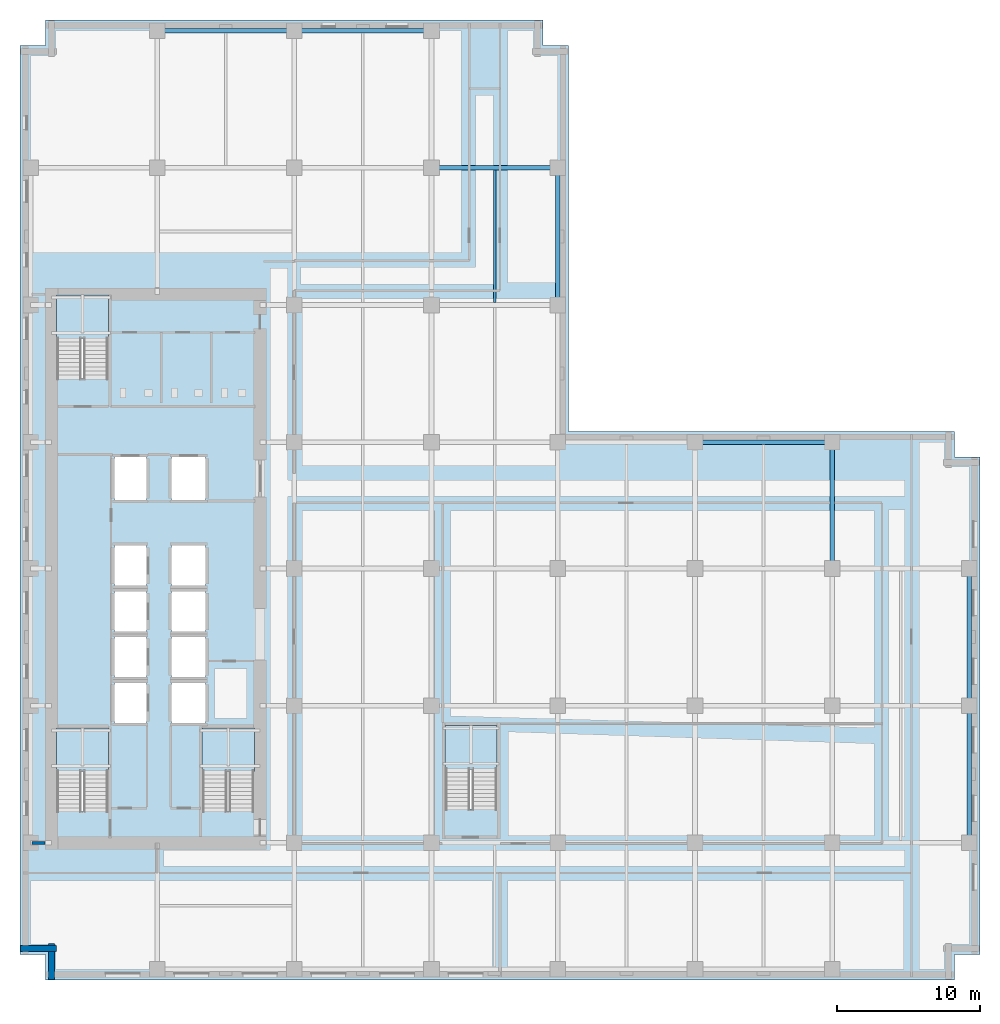
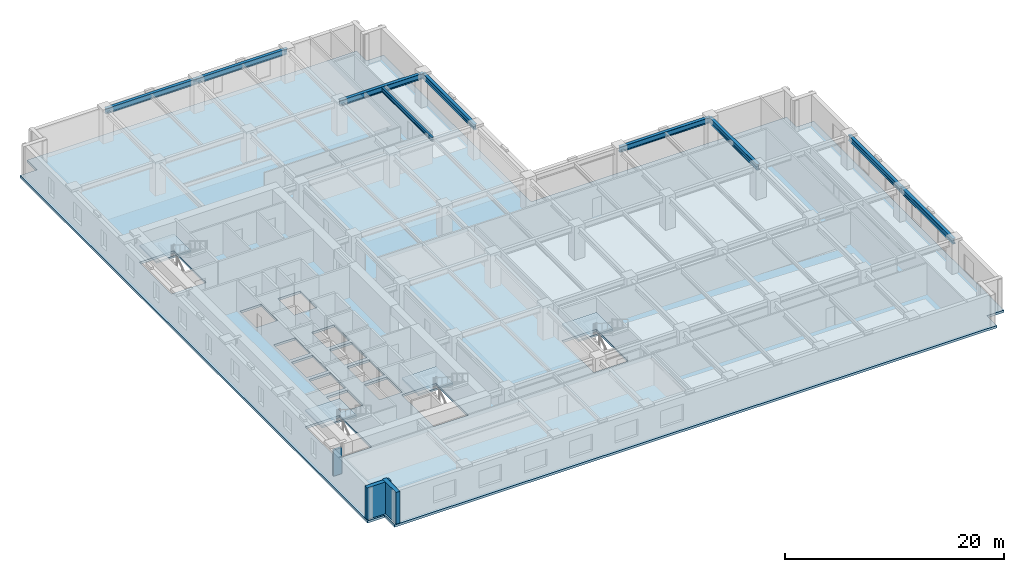
# One storey, part 3 of 15: 9 beams, 5 slabs, 3 walls, 4 elements without a shape of their own.
"""IFC4 building model written with IfcOpenShell, lengths in metres."""

from ifc_helpers import new_model, si_unit, direction, frame, frame_2d, origin, origin_2d, place, context, subcontext, project, spatial, polyline, rectangle, i_section, outline, extrude, material, layer, layer_set, material_profile, profile_set, type_object, element, aggregate, save


model = new_model("IFC4")

# Units and contexts
model_context = context("Model", 3, precision=1e-05, world=origin(), true_north=direction((0.0, 1.0)))
body_context = subcontext(model_context, "Body", "Model", "MODEL_VIEW")
ifc_project = project(units=[si_unit("LENGTHUNIT", "METRE"), si_unit("AREAUNIT", "SQUARE_METRE"), si_unit("VOLUMEUNIT", "CUBIC_METRE"), si_unit("PLANEANGLEUNIT", "RADIAN"), si_unit("MASSUNIT", "GRAM", prefix="KILO")], contexts=[model_context])

# Site, building, storey
site_placement = place(None, origin())
site = spatial("IfcSite", under=ifc_project, at=site_placement, CompositionType="ELEMENT")
building_placement = place(site_placement, origin())
building = spatial("IfcBuilding", under=site, at=building_placement, Name="Norrvale University Quadrangle", CompositionType="ELEMENT")
storey_placement = place(building_placement, frame((0.0, 0.0, 88.800048828125)))
storey = spatial("IfcBuildingStorey", under=building, at=storey_placement, Name="L22", CompositionType="ELEMENT", Elevation=88.800048828125)

# Beams
ifc_material_1 = material(Name="Steel 350W", Category="steel")
ifc_material_profile_1 = material_profile(ifc_material_1, i_section(OverallWidth=0.324951171875, OverallDepth=0.615966796875, WebThickness=0.013916015625, FlangeThickness=0.021484375, FilletRadius=0.01611328125, at=origin_2d()), Name="Steel 350W")
ifc_profile_set_1 = profile_set([ifc_material_profile_1], Name="Steel 350W")
beam_type_1 = type_object("IfcBeamType", Name="Beam Belt W610x174", PredefinedType="BEAM", material=ifc_profile_set_1)
beam_1_placement = place(storey_placement, frame((47.25, 37.64990234375, 3.23193359375), z_axis=(1.0, 0.0, 0.0), x_axis=(0.0, 1.0, 0.0)))
element("IfcBeam", 1, at=beam_1_placement, inside=storey, type_object=beam_type_1, Name="Beam Belt W610x174 BM-L22-GX024", PredefinedType="BEAM", context=body_context, shape_type="SweptSolid", body=[
    extrude(i_section(OverallWidth=0.324951171875, OverallDepth=0.615966796875, WebThickness=0.013916015625, FlangeThickness=0.021484375, FilletRadius=0.01611328125, at=origin_2d()), origin(), (0.0, 0.0, 1.0), 9.60009765625),
])
beam_2_placement = place(storey_placement, frame((28.800048828125, 56.85009765625, 3.23193359375), z_axis=(1.0, 0.0, 0.0), x_axis=(0.0, 1.0, 0.0)))
element("IfcBeam", 2, at=beam_2_placement, inside=storey, type_object=beam_type_1, Name="Beam Belt W610x174 BM-L22-GX030", PredefinedType="BEAM", context=body_context, shape_type="SweptSolid", body=[
    extrude(i_section(OverallWidth=0.324951171875, OverallDepth=0.615966796875, WebThickness=0.013916015625, FlangeThickness=0.021484375, FilletRadius=0.01611328125, at=origin_2d()), origin(), (0.0, 0.0, 1.0), 8.849853515625),
])
beam_3_placement = place(storey_placement, frame((9.60009765625, 66.449951171875, 3.23193359375), z_axis=(1.0, 0.0, 0.0), x_axis=(0.0, 1.0, 0.0)))
element("IfcBeam", 3, at=beam_3_placement, inside=storey, type_object=beam_type_1, Name="Beam Belt W610x174 BM-L22-GX031", PredefinedType="BEAM", context=body_context, shape_type="SweptSolid", body=[
    extrude(i_section(OverallWidth=0.324951171875, OverallDepth=0.615966796875, WebThickness=0.013916015625, FlangeThickness=0.021484375, FilletRadius=0.01611328125, at=origin_2d()), origin(), (0.0, 0.0, 1.0), 9.599853515625),
])
for number, where, z_axis, x_axis, name in (
    (4, (19.199951171875, 66.449951171875, 3.23193359375), (1.0, 0.0, 0.0), (0.0, 1.0, 0.0), "Beam Belt W610x174 BM-L22-GX032"),
    (5, (37.64990234375, 47.25, 3.23193359375), (0.0, 1.0, 0.0), (-1.0, 0.0, 0.0), "Beam Belt W610x174 BM-L22-GY058"),
):
    element("IfcBeam", number, at=place(storey_placement, frame(where, z_axis=z_axis, x_axis=x_axis)), inside=storey, type_object=beam_type_1, Name=name, PredefinedType="BEAM", context=body_context, shape_type="SweptSolid", body=[
        extrude(i_section(OverallWidth=0.324951171875, OverallDepth=0.615966796875, WebThickness=0.013916015625, FlangeThickness=0.021484375, FilletRadius=0.01611328125, at=origin_2d()), origin(), (0.0, 0.0, 1.0), 9.60009765625),
    ])
beam_4_placement = place(storey_placement, frame((56.85009765625, 28.800048828125, 3.23193359375), z_axis=(0.0, 1.0, 0.0), x_axis=(-1.0, 0.0, 0.0)))
element("IfcBeam", 6, at=beam_4_placement, inside=storey, type_object=beam_type_1, Name="Beam Belt W610x174 BM-L22-GY066", PredefinedType="BEAM", context=body_context, shape_type="SweptSolid", body=[
    extrude(i_section(OverallWidth=0.324951171875, OverallDepth=0.615966796875, WebThickness=0.013916015625, FlangeThickness=0.021484375, FilletRadius=0.01611328125, at=origin_2d()), origin(), (0.0, 0.0, 1.0), 8.849853515625),
])
beam_5_placement = place(storey_placement, frame((66.449951171875, 9.60009765625, 3.23193359375), z_axis=(0.0, 1.0, 0.0), x_axis=(-1.0, 0.0, 0.0)))
element("IfcBeam", 7, at=beam_5_placement, inside=storey, type_object=beam_type_1, Name="Beam Belt W610x174 BM-L22-GY067", PredefinedType="BEAM", context=body_context, shape_type="SweptSolid", body=[
    extrude(i_section(OverallWidth=0.324951171875, OverallDepth=0.615966796875, WebThickness=0.013916015625, FlangeThickness=0.021484375, FilletRadius=0.01611328125, at=origin_2d()), origin(), (0.0, 0.0, 1.0), 9.599853515625),
])
beam_6_placement = place(storey_placement, frame((66.449951171875, 19.199951171875, 3.23193359375), z_axis=(0.0, 1.0, 0.0), x_axis=(-1.0, 0.0, 0.0)))
element("IfcBeam", 8, at=beam_6_placement, inside=storey, type_object=beam_type_1, Name="Beam Belt W610x174 BM-L22-GY068", PredefinedType="BEAM", context=body_context, shape_type="SweptSolid", body=[
    extrude(i_section(OverallWidth=0.324951171875, OverallDepth=0.615966796875, WebThickness=0.013916015625, FlangeThickness=0.021484375, FilletRadius=0.01611328125, at=origin_2d()), origin(), (0.0, 0.0, 1.0), 9.60009765625),
])
ifc_material_profile_2 = material_profile(ifc_material_1, i_section(OverallWidth=0.194091796875, OverallDepth=0.468994140625, WebThickness=0.0126953125, FlangeThickness=0.0205078125, FilletRadius=0.012939453125, at=origin_2d()), Name="Steel 350W")
ifc_profile_set_2 = profile_set([ifc_material_profile_2], Name="Steel 350W")
beam_type_2 = type_object("IfcBeamType", Name="Beam Floor W460x106", PredefinedType="BEAM", material=ifc_profile_set_2)
beam_7_placement = place(storey_placement, frame((33.22509765625, 47.41259765625, 3.305419921875), z_axis=(0.0, 1.0, 0.0), x_axis=(-1.0, 0.0, 0.0)))
element("IfcBeam", 9, at=beam_7_placement, inside=storey, type_object=beam_type_2, Name="Beam Floor W460x106 BM-L22-J091", PredefinedType="BEAM", context=body_context, shape_type="SweptSolid", body=[
    extrude(i_section(OverallWidth=0.194091796875, OverallDepth=0.468994140625, WebThickness=0.0126953125, FlangeThickness=0.0205078125, FilletRadius=0.012939453125, at=origin_2d()), origin(), (0.0, 0.0, 1.0), 9.27490234375),
])

# Stair, slab
ifc_material_2 = material(Name="Concrete C40/50", Category="concrete")
stair_type = type_object("IfcStairType", Name="Stair Tower Typ 3800", PredefinedType="TWO_STRAIGHT_RUN_STAIR", material=ifc_material_2)
stair_1_placement = place(storey_placement, origin())
stair_1 = element("IfcStair", 10, at=stair_1_placement, inside=storey, type_object=stair_type, Name="Exit Stair ST-01 L22", PredefinedType="TWO_STRAIGHT_RUN_STAIR")
ifc_layer_1 = layer(ifc_material_2, 0.199951171875, Name="Concrete C40/50")
ifc_layer_set_1 = layer_set([ifc_layer_1], Name="Concrete C40/50")
slab_type_1 = type_object("IfcSlabType", Name="Slab Landing 200", PredefinedType="LANDING", material=ifc_layer_set_1)
slab_1_placement = place(storey_placement, frame((0.0, 0.0, 1.699951171875)))
slab_1 = element("IfcSlab", 11, at=slab_1_placement, type_object=slab_type_1, Name="Exit Stair ST-01 L22 Mid Landing", PredefinedType="LANDING", context=body_context, shape_type="SweptSolid", body=[
    extrude(outline(polyline([(2.550048828125, 14.590087890625), (6.199951171875, 14.590087890625), (6.199951171875, 17.64990234375), (2.550048828125, 17.64990234375), (2.550048828125, 14.590087890625)])), origin(), (0.0, 0.0, 1.0), 0.199951171875),
])
aggregate(stair_1, [slab_1])

stair_2_placement = place(storey_placement, origin())
stair_2 = element("IfcStair", 12, at=stair_2_placement, inside=storey, type_object=stair_type, Name="Exit Stair ST-02 L22", PredefinedType="TWO_STRAIGHT_RUN_STAIR")
slab_2_placement = place(storey_placement, frame((0.0, 0.0, 1.699951171875)))
slab_2 = element("IfcSlab", 13, at=slab_2_placement, type_object=slab_type_1, Name="Exit Stair ST-02 L22 Mid Landing", PredefinedType="LANDING", context=body_context, shape_type="SweptSolid", body=[
    extrude(outline(polyline([(2.550048828125, 44.889892578125), (6.199951171875, 44.889892578125), (6.199951171875, 47.949951171875), (2.550048828125, 47.949951171875), (2.550048828125, 44.889892578125)])), origin(), (0.0, 0.0, 1.0), 0.199951171875),
])
aggregate(stair_2, [slab_2])

stair_3_placement = place(storey_placement, origin())
stair_3 = element("IfcStair", 14, at=stair_3_placement, inside=storey, type_object=stair_type, Name="Exit Stair ST-03 L22", PredefinedType="TWO_STRAIGHT_RUN_STAIR")
slab_3_placement = place(storey_placement, frame((0.0, 0.0, 1.699951171875)))
slab_3 = element("IfcSlab", 15, at=slab_3_placement, type_object=slab_type_1, Name="Exit Stair ST-03 L22 Mid Landing", PredefinedType="LANDING", context=body_context, shape_type="SweptSolid", body=[
    extrude(outline(polyline([(12.75, 14.590087890625), (16.39990234375, 14.590087890625), (16.39990234375, 17.64990234375), (12.75, 17.64990234375), (12.75, 14.590087890625)])), origin(), (0.0, 0.0, 1.0), 0.199951171875),
])
aggregate(stair_3, [slab_3])

stair_4_placement = place(storey_placement, origin())
stair_4 = element("IfcStair", 16, at=stair_4_placement, inside=storey, type_object=stair_type, Name="Exit Stair ST-04 L22", PredefinedType="TWO_STRAIGHT_RUN_STAIR")
slab_4_placement = place(storey_placement, frame((0.0, 0.0, 1.699951171875)))
slab_4 = element("IfcSlab", 17, at=slab_4_placement, type_object=slab_type_1, Name="Exit Stair ST-04 L22 Mid Landing", PredefinedType="LANDING", context=body_context, shape_type="SweptSolid", body=[
    extrude(outline(polyline([(29.75, 14.739990234375), (33.39990234375, 14.739990234375), (33.39990234375, 17.800048828125), (29.75, 17.800048828125), (29.75, 14.739990234375)])), origin(), (0.0, 0.0, 1.0), 0.199951171875),
])
aggregate(stair_4, [slab_4])

# Slab
ifc_layer_2 = layer(ifc_material_2, 0.260009765625, Name="Concrete C40/50")
ifc_layer_set_2 = layer_set([ifc_layer_2], Name="Concrete C40/50")
slab_type_2 = type_object("IfcSlabType", Name="Slab Tower Typ 260", PredefinedType="FLOOR", material=ifc_layer_set_2)
slab_5_placement = place(storey_placement, frame((0.0, 0.0, -0.260009765625)))
element("IfcSlab", 18, at=slab_5_placement, inside=storey, type_object=slab_type_2, Name="Tower L22 Floor Slab", PredefinedType="FLOOR", context=body_context, shape_type="SweptSolid", body=[
    extrude(outline(polyline([(1.800048828125, 0.0), (65.39990234375, 0.0), (65.39990234375, 1.800048828125), (67.199951171875, 1.800048828125), (67.199951171875, 36.60009765625), (65.39990234375, 36.60009765625), (65.39990234375, 38.39990234375), (38.39990234375, 38.39990234375), (38.39990234375, 65.39990234375), (36.60009765625, 65.39990234375), (36.60009765625, 67.199951171875), (1.800048828125, 67.199951171875), (1.800048828125, 65.39990234375), (0.0, 65.39990234375), (0.0, 1.800048828125), (1.800048828125, 1.800048828125), (1.800048828125, 0.0)]), holes=[polyline([(2.550048828125, 11.81005859375), (6.199951171875, 11.81005859375), (6.199951171875, 17.64990234375), (2.550048828125, 17.64990234375), (2.550048828125, 11.81005859375)]), polyline([(2.550048828125, 42.110107421875), (6.199951171875, 42.110107421875), (6.199951171875, 47.949951171875), (2.550048828125, 47.949951171875), (2.550048828125, 42.110107421875)]), polyline([(12.75, 11.81005859375), (16.39990234375, 11.81005859375), (16.39990234375, 17.64990234375), (12.75, 17.64990234375), (12.75, 11.81005859375)]), polyline([(29.75, 11.9599609375), (33.39990234375, 11.9599609375), (33.39990234375, 17.800048828125), (29.75, 17.800048828125), (29.75, 11.9599609375)]), polyline([(6.60009765625, 18.0), (8.85009765625, 18.0), (8.85009765625, 20.800048828125), (6.60009765625, 20.800048828125), (6.60009765625, 18.0)]), polyline([(6.60009765625, 21.199951171875), (8.85009765625, 21.199951171875), (8.85009765625, 24.0), (6.60009765625, 24.0), (6.60009765625, 21.199951171875)]), polyline([(6.60009765625, 24.39990234375), (8.85009765625, 24.39990234375), (8.85009765625, 27.199951171875), (6.60009765625, 27.199951171875), (6.60009765625, 24.39990234375)]), polyline([(6.60009765625, 27.60009765625), (8.85009765625, 27.60009765625), (8.85009765625, 30.39990234375), (6.60009765625, 30.39990234375), (6.60009765625, 27.60009765625)]), polyline([(10.60009765625, 18.0), (13.0, 18.0), (13.0, 20.800048828125), (10.60009765625, 20.800048828125), (10.60009765625, 18.0)]), polyline([(10.60009765625, 21.199951171875), (13.0, 21.199951171875), (13.0, 24.0), (10.60009765625, 24.0), (10.60009765625, 21.199951171875)]), polyline([(10.60009765625, 24.39990234375), (13.0, 24.39990234375), (13.0, 27.199951171875), (10.60009765625, 27.199951171875), (10.60009765625, 24.39990234375)]), polyline([(10.60009765625, 27.60009765625), (13.0, 27.60009765625), (13.0, 30.39990234375), (10.60009765625, 30.39990234375), (10.60009765625, 27.60009765625)]), polyline([(6.60009765625, 33.60009765625), (8.85009765625, 33.60009765625), (8.85009765625, 36.60009765625), (6.60009765625, 36.60009765625), (6.60009765625, 33.60009765625)]), polyline([(10.60009765625, 33.60009765625), (13.0, 33.60009765625), (13.0, 36.60009765625), (10.60009765625, 36.60009765625), (10.60009765625, 33.60009765625)])]), origin(), (0.0, 0.0, 1.0), 0.260009765625),
])

# Walls
ifc_material_3 = material(Name="Buff Norman Clay Brick Masonry", Category="masonry")
ifc_layer_3 = layer(ifc_material_3, 0.419921875, Name="Buff Norman Clay Brick Masonry")
ifc_layer_set_3 = layer_set([ifc_layer_3], Name="Buff Norman Clay Brick Masonry")
wall_type_1 = type_object("IfcWallType", Name="Wall Buff Brick 420", PredefinedType="SOLIDWALL", material=ifc_layer_set_3)
for number, where, z_axis, x_axis, name in (
    (19, (0.0400390625, 2.18994140625, 0.0), (0.0, 0.0, 1.0), (1.0, 0.0, 0.0), "Exterior Brick Facade Wall L22-15.1"),
    (20, (2.18994140625, 2.5400390625, 0.0), (0.0, 0.0, 1.0), (0.0, -1.0, 0.0), "Exterior Brick Facade Wall L22-16.1"),
):
    element("IfcWall", number, at=place(storey_placement, frame(where, z_axis=z_axis, x_axis=x_axis)), inside=storey, type_object=wall_type_1, Name=name, PredefinedType="SOLIDWALL", context=body_context, shape_type="SweptSolid", body=[
        extrude(rectangle(XDim=2.5, YDim=0.419921875, at=frame_2d((1.25, 0.0))), origin(), (0.0, 0.0, 1.0), 3.5400390625),
    ])
ifc_material_4 = material(Name="Concrete Blockwork 20 MPa Rated Wall", Category="masonry")
ifc_layer_4 = layer(ifc_material_4, 0.199951171875, Name="Concrete Blockwork 20 MPa Rated Wall")
ifc_layer_set_4 = layer_set([ifc_layer_4], Name="Concrete Blockwork 20 MPa Rated Wall")
wall_type_2 = type_object("IfcWallType", Name="Wall Lobby 200", PredefinedType="SOLIDWALL", material=ifc_layer_set_4)
wall_placement = place(storey_placement, frame((0.85009765625, 9.60009765625, 0.0), z_axis=(0.0, 0.0, 1.0), x_axis=(1.0, 0.0, 0.0)))
element("IfcWall", 21, at=wall_placement, inside=storey, type_object=wall_type_2, Name="Interior Partition WL-L22-CWRET-S", PredefinedType="SOLIDWALL", context=body_context, shape_type="SweptSolid", body=[
    extrude(rectangle(XDim=0.89501953125, YDim=0.199951171875, at=frame_2d((0.447509765625, 0.0))), origin(), (0.0, 0.0, 1.0), 2.924072265625),
])

save(model, "model.ifc")
